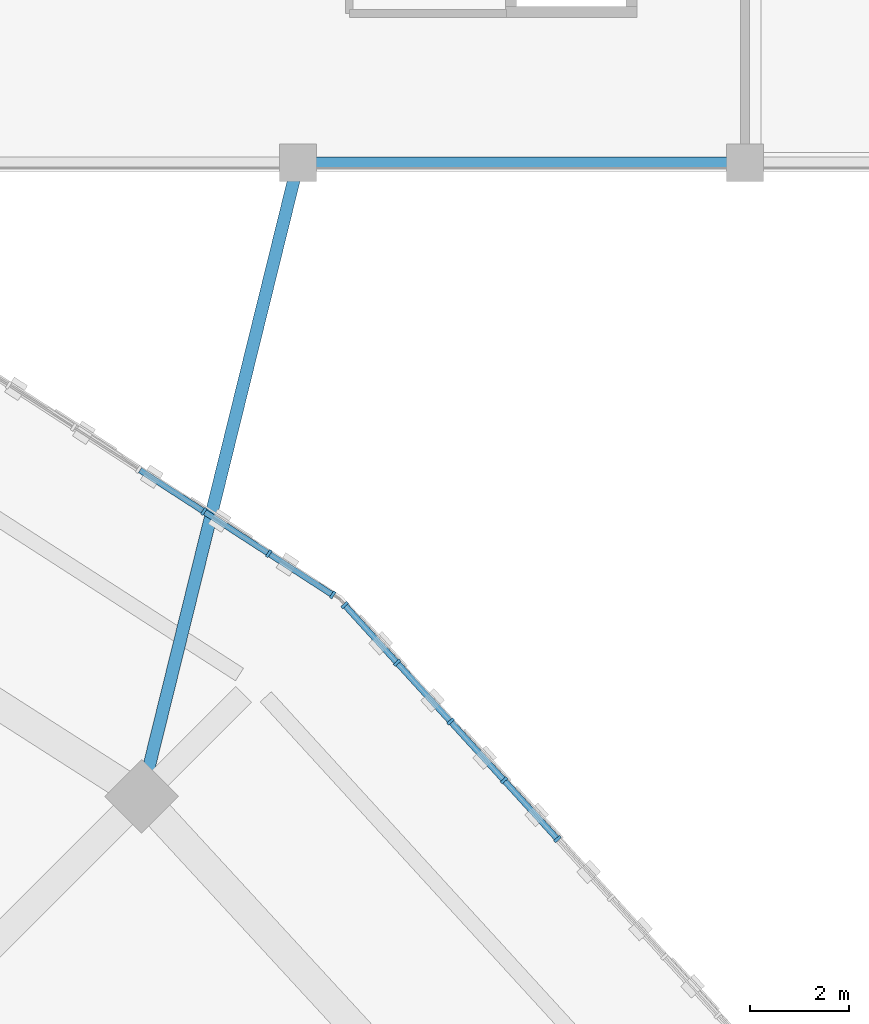
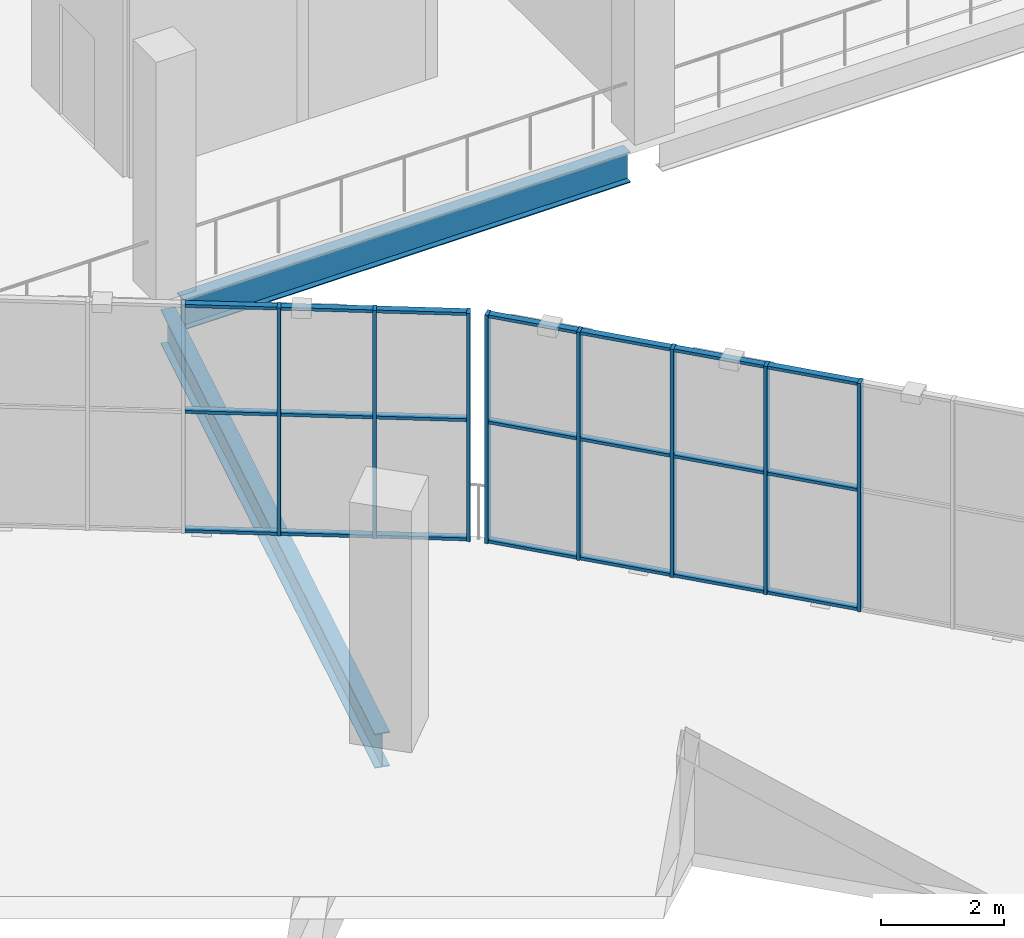
# One storey, part 62 of 152: 29 members, 2 beams, 2 elements without a shape of their own.
"""IFC4 building model written with IfcOpenShell, lengths in metres."""

from ifc_helpers import new_model, si_unit, direction, frame, origin, origin_2d, place, context, subcontext, project, spatial, rectangle, i_section, extrude, material, material_profile, profile_set, type_object, element, aggregate, save


model = new_model("IFC4")

# Units and contexts
model_context = context("Model", 3, precision=1e-05, world=origin(), true_north=direction((0.0, 1.0)))
body_context = subcontext(model_context, "Body", "Model", "MODEL_VIEW")
ifc_project = project(units=[si_unit("LENGTHUNIT", "METRE"), si_unit("AREAUNIT", "SQUARE_METRE"), si_unit("VOLUMEUNIT", "CUBIC_METRE"), si_unit("PLANEANGLEUNIT", "RADIAN"), si_unit("MASSUNIT", "GRAM", prefix="KILO")], contexts=[model_context])

# Site, building, storey
site_placement = place(None, origin())
site = spatial("IfcSite", under=ifc_project, at=site_placement, CompositionType="ELEMENT")
building_placement = place(site_placement, origin())
building = spatial("IfcBuilding", under=site, at=building_placement, Name="Zevraka Park Crest Stadium", CompositionType="ELEMENT")
storey_placement = place(building_placement, frame((0.0, 0.0, 15.0)))
storey = spatial("IfcBuildingStorey", under=building, at=storey_placement, Name="L03", CompositionType="ELEMENT", Elevation=15.0)

# Beams
ifc_material_1 = material(Name="Steel S355", Category="steel")
ifc_material_profile_1 = material_profile(ifc_material_1, i_section(OverallWidth=0.253662109375, OverallDepth=0.68359375, WebThickness=0.012451171875, FlangeThickness=0.01904296875, at=origin_2d()), Name="UKB 686x254x140")
ifc_profile_set_1 = profile_set([ifc_material_profile_1], Name="Steel S355")
beam_type_1 = type_object("IfcBeamType", Name="BG05", PredefinedType="BEAM", material=ifc_profile_set_1)
beam_1_placement = place(storey_placement, frame((178.951904296875, 157.805908203125, -0.649658203125), z_axis=(-0.23959769566, -0.970872259483, 0.0), x_axis=(0.970872259483, -0.23959769566, 0.0)))
element("IfcBeam", 1, at=beam_1_placement, inside=storey, type_object=beam_type_1, Name="Wing Link Girder BG05 L03-20/T", PredefinedType="BEAM", context=body_context, shape_type="SweptSolid", body=[
    extrude(i_section(OverallWidth=0.253662109375, OverallDepth=0.68359375, WebThickness=0.012451171875, FlangeThickness=0.01904296875, at=origin_2d()), origin(), (0.0, 0.0, 1.0), 12.5576171875),
])
ifc_material_2 = material(Name="Steel S355", Category="steel")
ifc_material_profile_2 = material_profile(ifc_material_2, i_section(OverallWidth=0.22900390625, OverallDepth=0.612060546875, WebThickness=0.011962890625, FlangeThickness=0.01953125, at=origin_2d()), Name="UKB 610x229x125")
ifc_profile_set_2 = profile_set([ifc_material_profile_2], Name="Steel S355")
beam_type_2 = type_object("IfcBeamType", Name="BG09", PredefinedType="BEAM", material=ifc_profile_set_2)
beam_2_placement = place(storey_placement, frame((179.300048828125, 158.0, -0.614013671875), z_axis=(1.0, 0.0, 0.0), x_axis=(0.0, 1.0, 0.0)))
element("IfcBeam", 2, at=beam_2_placement, inside=storey, type_object=beam_type_2, Name="Wing Girder BG09 L03-2021/T", PredefinedType="BEAM", context=body_context, shape_type="SweptSolid", body=[
    extrude(i_section(OverallWidth=0.22900390625, OverallDepth=0.612060546875, WebThickness=0.011962890625, FlangeThickness=0.01953125, at=origin_2d()), origin(), (0.0, 0.0, 1.0), 8.39990234375),
])

# Curtain wall, members
ifc_material_3 = material(Name="Anodised architectural aluminium and laminated safety glass", Category="aluminium")
curtain_wall_type = type_object("IfcCurtainWallType", Name="CW13", PredefinedType="NOTDEFINED", material=ifc_material_3)
curtain_wall_1_placement = place(storey_placement, origin())
curtain_wall_1 = element("IfcCurtainWall", 3, at=curtain_wall_1_placement, inside=storey, type_object=curtain_wall_type, Name="Unitised Ring Curtain Wall CW13 L03-02", PredefinedType="NOTDEFINED")
ifc_material_4 = material(Name="Anodised architectural aluminium", Category="aluminium")
ifc_material_profile_3 = material_profile(ifc_material_4, rectangle(XDim=0.159912109375, YDim=0.06005859375, at=origin_2d()), Name="ALU MULLION 160x60")
ifc_profile_set_3 = profile_set([ifc_material_profile_3], Name="Anodised architectural aluminium")
member_type_1 = type_object("IfcMemberType", Name="CM01", PredefinedType="MULLION", material=ifc_profile_set_3)
member_1_placement = place(storey_placement, frame((184.22216796875, 144.385009765625, 0.0), z_axis=(0.0, 0.0, 1.0), x_axis=(-0.739822878481, -0.672801685845, 0.0)))
member_1 = element("IfcMember", 4, at=member_1_placement, type_object=member_type_1, Name="CW13 mullion 11", PredefinedType="MULLION", context=body_context, shape_type="SweptSolid", body=[
    extrude(rectangle(XDim=0.159912109375, YDim=0.06005859375, at=origin_2d()), origin(), (0.0, 0.0, 1.0), 4.5400390625),
])
member_2_placement = place(storey_placement, frame((183.145751953125, 145.568603515625, 0.0), z_axis=(0.0, 0.0, 1.0), x_axis=(-0.739822878481, -0.672801685845, 0.0)))
member_2 = element("IfcMember", 5, at=member_2_placement, type_object=member_type_1, Name="CW13 mullion 12", PredefinedType="MULLION", context=body_context, shape_type="SweptSolid", body=[
    extrude(rectangle(XDim=0.159912109375, YDim=0.06005859375, at=origin_2d()), origin(), (0.0, 0.0, 1.0), 4.5400390625),
])
member_3_placement = place(storey_placement, frame((182.069580078125, 146.751953125, 0.0), z_axis=(0.0, 0.0, 1.0), x_axis=(-0.739822878481, -0.672801685845, 0.0)))
member_3 = element("IfcMember", 6, at=member_3_placement, type_object=member_type_1, Name="CW13 mullion 13", PredefinedType="MULLION", context=body_context, shape_type="SweptSolid", body=[
    extrude(rectangle(XDim=0.159912109375, YDim=0.06005859375, at=origin_2d()), origin(), (0.0, 0.0, 1.0), 4.5400390625),
])
member_4_placement = place(storey_placement, frame((180.9931640625, 147.935546875, 0.0), z_axis=(0.0, 0.0, 1.0), x_axis=(-0.739822878481, -0.672801685845, 0.0)))
member_4 = element("IfcMember", 7, at=member_4_placement, type_object=member_type_1, Name="CW13 mullion 14", PredefinedType="MULLION", context=body_context, shape_type="SweptSolid", body=[
    extrude(rectangle(XDim=0.159912109375, YDim=0.06005859375, at=origin_2d()), origin(), (0.0, 0.0, 1.0), 4.5400390625),
])
member_5_placement = place(storey_placement, frame((179.937255859375, 149.096923828125, 0.0), z_axis=(0.0, 0.0, 1.0), x_axis=(-0.739822878481, -0.672801685845, 0.0)))
member_5 = element("IfcMember", 8, at=member_5_placement, type_object=member_type_1, Name="CW13 mullion 15", PredefinedType="MULLION", context=body_context, shape_type="SweptSolid", body=[
    extrude(rectangle(XDim=0.159912109375, YDim=0.06005859375, at=origin_2d()), origin(), (0.0, 0.0, 1.0), 4.5400390625),
])

curtain_wall_2_placement = place(storey_placement, origin())
curtain_wall_2 = element("IfcCurtainWall", 9, at=curtain_wall_2_placement, inside=storey, type_object=curtain_wall_type, Name="Unitised Ring Curtain Wall CW13 L03-03", PredefinedType="NOTDEFINED")
member_6_placement = place(storey_placement, frame((179.69580078125, 149.30126953125, 0.0), z_axis=(0.0, 0.0, 1.0), x_axis=(-0.543469160232, -0.839429134517, 0.0)))
member_6 = element("IfcMember", 10, at=member_6_placement, type_object=member_type_1, Name="CW13 mullion 1", PredefinedType="MULLION", context=body_context, shape_type="SweptSolid", body=[
    extrude(rectangle(XDim=0.159912109375, YDim=0.06005859375, at=origin_2d()), origin(), (0.0, 0.0, 1.0), 4.5400390625),
])
member_7_placement = place(storey_placement, frame((178.4111328125, 150.133056640625, 0.0), z_axis=(0.0, 0.0, 1.0), x_axis=(-0.543469160232, -0.839429134517, 0.0)))
member_7 = element("IfcMember", 11, at=member_7_placement, type_object=member_type_1, Name="CW13 mullion 2", PredefinedType="MULLION", context=body_context, shape_type="SweptSolid", body=[
    extrude(rectangle(XDim=0.159912109375, YDim=0.06005859375, at=origin_2d()), origin(), (0.0, 0.0, 1.0), 4.5400390625),
])
member_8_placement = place(storey_placement, frame((177.101318359375, 150.98095703125, 0.0), z_axis=(0.0, 0.0, 1.0), x_axis=(-0.543469160232, -0.839429134517, 0.0)))
member_8 = element("IfcMember", 12, at=member_8_placement, type_object=member_type_1, Name="CW13 mullion 3", PredefinedType="MULLION", context=body_context, shape_type="SweptSolid", body=[
    extrude(rectangle(XDim=0.159912109375, YDim=0.06005859375, at=origin_2d()), origin(), (0.0, 0.0, 1.0), 4.5400390625),
])

# Member
ifc_material_5 = material(Name="Anodised architectural aluminium", Category="aluminium")
ifc_material_profile_4 = material_profile(ifc_material_5, rectangle(XDim=0.1201171875, YDim=0.06005859375, at=origin_2d()), Name="ALU TRANSOM 120x60")
ifc_profile_set_4 = profile_set([ifc_material_profile_4], Name="Anodised architectural aluminium")
member_type_2 = type_object("IfcMemberType", Name="CT01", PredefinedType="USERDEFINED", material=ifc_profile_set_4)
member_9_placement = place(storey_placement, frame((184.201904296875, 144.4072265625, 0.030029296875), z_axis=(-0.672775385986, 0.739846794959, 0.0), x_axis=(-0.739846794959, -0.672775385986, 0.0)))
member_9 = element("IfcMember", 13, at=member_9_placement, type_object=member_type_2, Name="CW13 transom 11.1", ObjectType="TRANSOM", PredefinedType="USERDEFINED", context=body_context, shape_type="SweptSolid", body=[
    extrude(rectangle(XDim=0.1201171875, YDim=0.06005859375, at=origin_2d()), origin(), (0.0, 0.0, 1.0), 1.539794921875),
])

member_10_placement = place(storey_placement, frame((184.201904296875, 144.4072265625, 2.39990234375), z_axis=(-0.672775385986, 0.739846794959, 0.0), x_axis=(-0.739846794959, -0.672775385986, 0.0)))
member_10 = element("IfcMember", 14, at=member_10_placement, type_object=member_type_2, Name="CW13 transom 11.2", ObjectType="TRANSOM", PredefinedType="USERDEFINED", context=body_context, shape_type="SweptSolid", body=[
    extrude(rectangle(XDim=0.1201171875, YDim=0.06005859375, at=origin_2d()), origin(), (0.0, 0.0, 1.0), 1.539794921875),
])

member_11_placement = place(storey_placement, frame((184.201904296875, 144.4072265625, 4.510009765625), z_axis=(-0.672775385986, 0.739846794959, 0.0), x_axis=(-0.739846794959, -0.672775385986, 0.0)))
member_11 = element("IfcMember", 15, at=member_11_placement, type_object=member_type_2, Name="CW13 transom 11.3", ObjectType="TRANSOM", PredefinedType="USERDEFINED", context=body_context, shape_type="SweptSolid", body=[
    extrude(rectangle(XDim=0.1201171875, YDim=0.06005859375, at=origin_2d()), origin(), (0.0, 0.0, 1.0), 1.539794921875),
])

member_12_placement = place(storey_placement, frame((183.125732421875, 145.590576171875, 0.030029296875), z_axis=(-0.672775385986, 0.739846794959, 0.0), x_axis=(-0.739846794959, -0.672775385986, 0.0)))
member_12 = element("IfcMember", 16, at=member_12_placement, type_object=member_type_2, Name="CW13 transom 12.1", ObjectType="TRANSOM", PredefinedType="USERDEFINED", context=body_context, shape_type="SweptSolid", body=[
    extrude(rectangle(XDim=0.1201171875, YDim=0.06005859375, at=origin_2d()), origin(), (0.0, 0.0, 1.0), 1.539794921875),
])

member_13_placement = place(storey_placement, frame((183.125732421875, 145.590576171875, 2.39990234375), z_axis=(-0.672775385986, 0.739846794959, 0.0), x_axis=(-0.739846794959, -0.672775385986, 0.0)))
member_13 = element("IfcMember", 17, at=member_13_placement, type_object=member_type_2, Name="CW13 transom 12.2", ObjectType="TRANSOM", PredefinedType="USERDEFINED", context=body_context, shape_type="SweptSolid", body=[
    extrude(rectangle(XDim=0.1201171875, YDim=0.06005859375, at=origin_2d()), origin(), (0.0, 0.0, 1.0), 1.539794921875),
])

member_14_placement = place(storey_placement, frame((183.125732421875, 145.590576171875, 4.510009765625), z_axis=(-0.672775385986, 0.739846794959, 0.0), x_axis=(-0.739846794959, -0.672775385986, 0.0)))
member_14 = element("IfcMember", 18, at=member_14_placement, type_object=member_type_2, Name="CW13 transom 12.3", ObjectType="TRANSOM", PredefinedType="USERDEFINED", context=body_context, shape_type="SweptSolid", body=[
    extrude(rectangle(XDim=0.1201171875, YDim=0.06005859375, at=origin_2d()), origin(), (0.0, 0.0, 1.0), 1.539794921875),
])

member_15_placement = place(storey_placement, frame((182.04931640625, 146.774169921875, 0.030029296875), z_axis=(-0.672775385986, 0.739846794959, 0.0), x_axis=(-0.739846794959, -0.672775385986, 0.0)))
member_15 = element("IfcMember", 19, at=member_15_placement, type_object=member_type_2, Name="CW13 transom 13.1", ObjectType="TRANSOM", PredefinedType="USERDEFINED", context=body_context, shape_type="SweptSolid", body=[
    extrude(rectangle(XDim=0.1201171875, YDim=0.06005859375, at=origin_2d()), origin(), (0.0, 0.0, 1.0), 1.539794921875),
])

member_16_placement = place(storey_placement, frame((182.04931640625, 146.774169921875, 2.39990234375), z_axis=(-0.672775385986, 0.739846794959, 0.0), x_axis=(-0.739846794959, -0.672775385986, 0.0)))
member_16 = element("IfcMember", 20, at=member_16_placement, type_object=member_type_2, Name="CW13 transom 13.2", ObjectType="TRANSOM", PredefinedType="USERDEFINED", context=body_context, shape_type="SweptSolid", body=[
    extrude(rectangle(XDim=0.1201171875, YDim=0.06005859375, at=origin_2d()), origin(), (0.0, 0.0, 1.0), 1.539794921875),
])

member_17_placement = place(storey_placement, frame((182.04931640625, 146.774169921875, 4.510009765625), z_axis=(-0.672775385986, 0.739846794959, 0.0), x_axis=(-0.739846794959, -0.672775385986, 0.0)))
member_17 = element("IfcMember", 21, at=member_17_placement, type_object=member_type_2, Name="CW13 transom 13.3", ObjectType="TRANSOM", PredefinedType="USERDEFINED", context=body_context, shape_type="SweptSolid", body=[
    extrude(rectangle(XDim=0.1201171875, YDim=0.06005859375, at=origin_2d()), origin(), (0.0, 0.0, 1.0), 1.539794921875),
])

member_18_placement = place(storey_placement, frame((180.97314453125, 147.957763671875, 0.030029296875), z_axis=(-0.672841795223, 0.73978640066, 0.0), x_axis=(-0.73978640066, -0.672841795223, 0.0)))
member_18 = element("IfcMember", 22, at=member_18_placement, type_object=member_type_2, Name="CW13 transom 14.1", ObjectType="TRANSOM", PredefinedType="USERDEFINED", context=body_context, shape_type="SweptSolid", body=[
    extrude(rectangle(XDim=0.1201171875, YDim=0.06005859375, at=origin_2d()), origin(), (0.0, 0.0, 1.0), 1.509765625),
])

member_19_placement = place(storey_placement, frame((180.97314453125, 147.957763671875, 2.39990234375), z_axis=(-0.672841795223, 0.73978640066, 0.0), x_axis=(-0.73978640066, -0.672841795223, 0.0)))
member_19 = element("IfcMember", 23, at=member_19_placement, type_object=member_type_2, Name="CW13 transom 14.2", ObjectType="TRANSOM", PredefinedType="USERDEFINED", context=body_context, shape_type="SweptSolid", body=[
    extrude(rectangle(XDim=0.1201171875, YDim=0.06005859375, at=origin_2d()), origin(), (0.0, 0.0, 1.0), 1.509765625),
])

member_20_placement = place(storey_placement, frame((180.97314453125, 147.957763671875, 4.510009765625), z_axis=(-0.672841795223, 0.73978640066, 0.0), x_axis=(-0.73978640066, -0.672841795223, 0.0)))
member_20 = element("IfcMember", 24, at=member_20_placement, type_object=member_type_2, Name="CW13 transom 14.3", ObjectType="TRANSOM", PredefinedType="USERDEFINED", context=body_context, shape_type="SweptSolid", body=[
    extrude(rectangle(XDim=0.1201171875, YDim=0.06005859375, at=origin_2d()), origin(), (0.0, 0.0, 1.0), 1.509765625),
])

aggregate(curtain_wall_1, [member_1, member_2, member_3, member_4, member_5, member_9, member_10, member_11, member_12, member_13, member_14, member_15, member_16, member_17, member_18, member_19, member_20])

member_21_placement = place(storey_placement, frame((179.670654296875, 149.317626953125, 0.030029296875), z_axis=(-0.839458776454, 0.543423373286, 0.0), x_axis=(-0.543423373286, -0.839458776454, 0.0)))
member_21 = element("IfcMember", 25, at=member_21_placement, type_object=member_type_2, Name="CW13 transom 1.1", ObjectType="TRANSOM", PredefinedType="USERDEFINED", context=body_context, shape_type="SweptSolid", body=[
    extrude(rectangle(XDim=0.1201171875, YDim=0.06005859375, at=origin_2d()), origin(), (0.0, 0.0, 1.0), 1.470458984375),
])

member_22_placement = place(storey_placement, frame((179.670654296875, 149.317626953125, 2.39990234375), z_axis=(-0.839458776454, 0.543423373286, 0.0), x_axis=(-0.543423373286, -0.839458776454, 0.0)))
member_22 = element("IfcMember", 26, at=member_22_placement, type_object=member_type_2, Name="CW13 transom 1.2", ObjectType="TRANSOM", PredefinedType="USERDEFINED", context=body_context, shape_type="SweptSolid", body=[
    extrude(rectangle(XDim=0.1201171875, YDim=0.06005859375, at=origin_2d()), origin(), (0.0, 0.0, 1.0), 1.470458984375),
])

member_23_placement = place(storey_placement, frame((179.670654296875, 149.317626953125, 4.510009765625), z_axis=(-0.839458776454, 0.543423373286, 0.0), x_axis=(-0.543423373286, -0.839458776454, 0.0)))
member_23 = element("IfcMember", 27, at=member_23_placement, type_object=member_type_2, Name="CW13 transom 1.3", ObjectType="TRANSOM", PredefinedType="USERDEFINED", context=body_context, shape_type="SweptSolid", body=[
    extrude(rectangle(XDim=0.1201171875, YDim=0.06005859375, at=origin_2d()), origin(), (0.0, 0.0, 1.0), 1.470458984375),
])

member_24_placement = place(storey_placement, frame((178.385986328125, 150.1494140625, 0.030029296875), z_axis=(-0.839509029958, 0.543345735807, 0.0), x_axis=(-0.543345735807, -0.839509029958, 0.0)))
member_24 = element("IfcMember", 28, at=member_24_placement, type_object=member_type_2, Name="CW13 transom 2.1", ObjectType="TRANSOM", PredefinedType="USERDEFINED", context=body_context, shape_type="SweptSolid", body=[
    extrude(rectangle(XDim=0.1201171875, YDim=0.06005859375, at=origin_2d()), origin(), (0.0, 0.0, 1.0), 1.500244140625),
])

member_25_placement = place(storey_placement, frame((178.385986328125, 150.1494140625, 2.39990234375), z_axis=(-0.839509029958, 0.543345735807, 0.0), x_axis=(-0.543345735807, -0.839509029958, 0.0)))
member_25 = element("IfcMember", 29, at=member_25_placement, type_object=member_type_2, Name="CW13 transom 2.2", ObjectType="TRANSOM", PredefinedType="USERDEFINED", context=body_context, shape_type="SweptSolid", body=[
    extrude(rectangle(XDim=0.1201171875, YDim=0.06005859375, at=origin_2d()), origin(), (0.0, 0.0, 1.0), 1.500244140625),
])

member_26_placement = place(storey_placement, frame((178.385986328125, 150.1494140625, 4.510009765625), z_axis=(-0.839509029958, 0.543345735807, 0.0), x_axis=(-0.543345735807, -0.839509029958, 0.0)))
member_26 = element("IfcMember", 30, at=member_26_placement, type_object=member_type_2, Name="CW13 transom 2.3", ObjectType="TRANSOM", PredefinedType="USERDEFINED", context=body_context, shape_type="SweptSolid", body=[
    extrude(rectangle(XDim=0.1201171875, YDim=0.06005859375, at=origin_2d()), origin(), (0.0, 0.0, 1.0), 1.500244140625),
])

member_27_placement = place(storey_placement, frame((177.076171875, 150.997314453125, 0.030029296875), z_axis=(-0.839386734847, 0.543534644124, 0.0), x_axis=(-0.543534644124, -0.839386734847, 0.0)))
member_27 = element("IfcMember", 31, at=member_27_placement, type_object=member_type_2, Name="CW13 transom 3.1", ObjectType="TRANSOM", PredefinedType="USERDEFINED", context=body_context, shape_type="SweptSolid", body=[
    extrude(rectangle(XDim=0.1201171875, YDim=0.06005859375, at=origin_2d()), origin(), (0.0, 0.0, 1.0), 1.500244140625),
])

member_28_placement = place(storey_placement, frame((177.076171875, 150.997314453125, 2.39990234375), z_axis=(-0.839386734847, 0.543534644124, 0.0), x_axis=(-0.543534644124, -0.839386734847, 0.0)))
member_28 = element("IfcMember", 32, at=member_28_placement, type_object=member_type_2, Name="CW13 transom 3.2", ObjectType="TRANSOM", PredefinedType="USERDEFINED", context=body_context, shape_type="SweptSolid", body=[
    extrude(rectangle(XDim=0.1201171875, YDim=0.06005859375, at=origin_2d()), origin(), (0.0, 0.0, 1.0), 1.500244140625),
])

member_29_placement = place(storey_placement, frame((177.076171875, 150.997314453125, 4.510009765625), z_axis=(-0.839386734847, 0.543534644124, 0.0), x_axis=(-0.543534644124, -0.839386734847, 0.0)))
member_29 = element("IfcMember", 33, at=member_29_placement, type_object=member_type_2, Name="CW13 transom 3.3", ObjectType="TRANSOM", PredefinedType="USERDEFINED", context=body_context, shape_type="SweptSolid", body=[
    extrude(rectangle(XDim=0.1201171875, YDim=0.06005859375, at=origin_2d()), origin(), (0.0, 0.0, 1.0), 1.500244140625),
])

aggregate(curtain_wall_2, [member_6, member_7, member_8, member_21, member_22, member_23, member_24, member_25, member_26, member_27, member_28, member_29])

save(model, "model.ifc")
